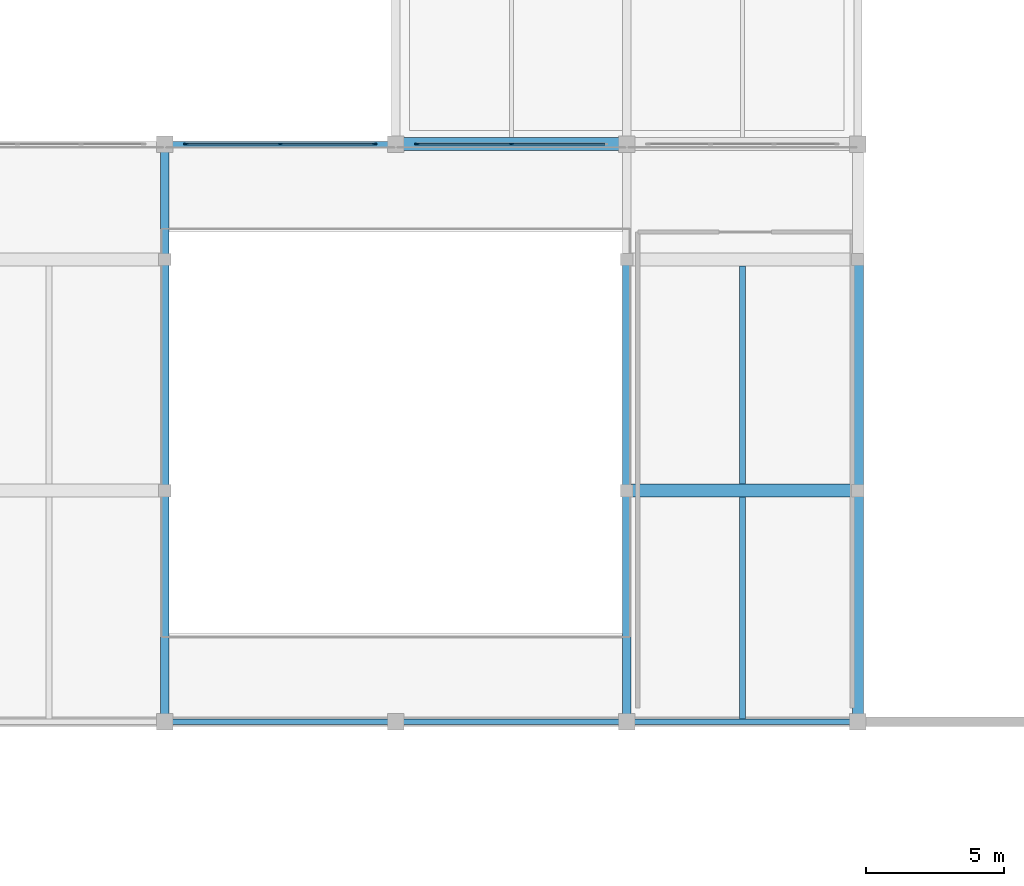
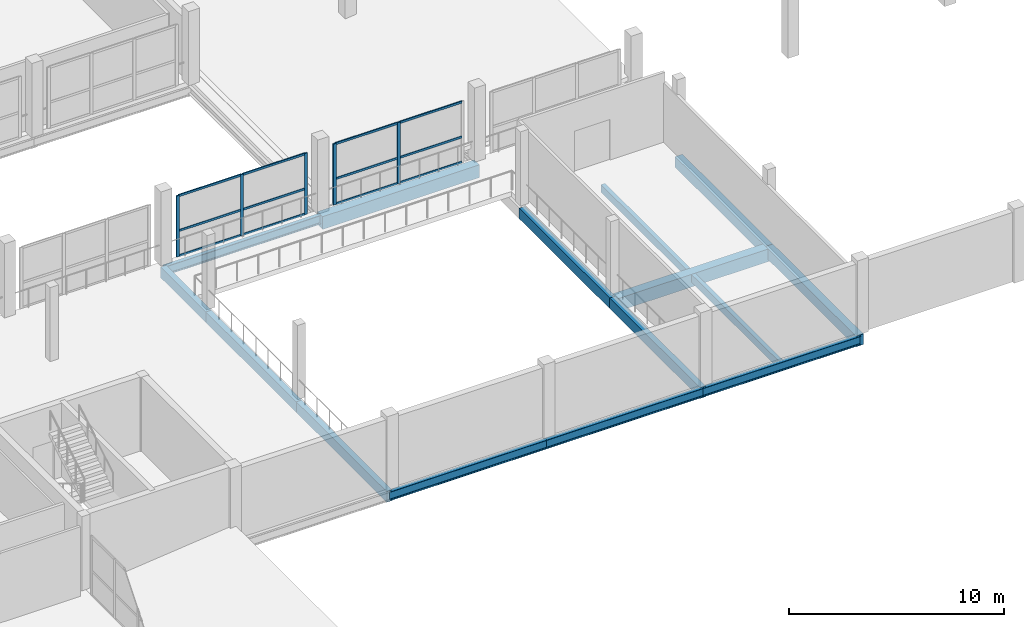
# One storey, part 25 of 53: 17 members, 15 beams, 2 elements without a shape of their own.
"""IFC4 building model written with IfcOpenShell, lengths in metres."""

from ifc_helpers import new_model, si_unit, direction, frame, origin, origin_2d, place, context, subcontext, project, spatial, rectangle, i_section, extrude, material, material_profile, profile_set, type_object, element, aggregate, save


model = new_model("IFC4")

# Units and contexts
model_context = context("Model", 3, precision=1e-05, world=origin(), true_north=direction((0.0, 1.0)))
body_context = subcontext(model_context, "Body", "Model", "MODEL_VIEW")
ifc_project = project(units=[si_unit("LENGTHUNIT", "METRE"), si_unit("AREAUNIT", "SQUARE_METRE"), si_unit("VOLUMEUNIT", "CUBIC_METRE"), si_unit("PLANEANGLEUNIT", "RADIAN"), si_unit("MASSUNIT", "GRAM", prefix="KILO")], contexts=[model_context])

# Site, building, storey
site_placement = place(None, origin())
site = spatial("IfcSite", under=ifc_project, at=site_placement, CompositionType="ELEMENT")
building_placement = place(site_placement, origin())
building = spatial("IfcBuilding", under=site, at=building_placement, Name="Vharandega Faculty of Natural Sciences", CompositionType="ELEMENT")
storey_placement = place(building_placement, frame((0.0, 0.0, 10.199951171875)))
storey = spatial("IfcBuildingStorey", under=building, at=storey_placement, Name="L02", CompositionType="ELEMENT", Elevation=10.199951171875)

# Curtain wall, members
ifc_material_1 = material(Name="Aluminium and solar-control glass curtain wall", Category="aluminium")
curtain_wall_type_1 = type_object("IfcCurtainWallType", Name="Unitised Curtain Wall System CW-08", PredefinedType="NOTDEFINED", material=ifc_material_1)
curtain_wall_1_placement = place(storey_placement, origin())
curtain_wall_1 = element("IfcCurtainWall", 1, at=curtain_wall_1_placement, inside=storey, type_object=curtain_wall_type_1, Name="Curtain Wall CW-L02-091", PredefinedType="NOTDEFINED")
ifc_material_2 = material(Name="Thermally broken aluminium 6063-T6", Category="aluminium")
ifc_material_profile_1 = material_profile(ifc_material_2, rectangle(XDim=0.06005859375, YDim=0.159912109375, at=origin_2d()), Name="ALU 60x160")
ifc_profile_set_1 = profile_set([ifc_material_profile_1], Name="Thermally broken aluminium 6063-T6")
member_type_1 = type_object("IfcMemberType", Name="CW Mullion 60x160", PredefinedType="MULLION", material=ifc_profile_set_1)
member_1_placement = place(storey_placement, frame((65.169921875, 85.0, 0.0), z_axis=(0.0, 0.0, 1.0), x_axis=(0.0, 1.0, 0.0)))
member_1 = element("IfcMember", 2, at=member_1_placement, type_object=member_type_1, Name="CW-08 mullion 1", PredefinedType="MULLION", context=body_context, shape_type="SweptSolid", body=[
    extrude(rectangle(XDim=0.06005859375, YDim=0.159912109375, at=origin_2d()), origin(), (0.0, 0.0, 1.0), 3.4599609375),
])
member_2_placement = place(storey_placement, frame((68.60009765625, 85.0, 0.0), z_axis=(0.0, 0.0, 1.0), x_axis=(0.0, 1.0, 0.0)))
member_2 = element("IfcMember", 3, at=member_2_placement, type_object=member_type_1, Name="CW-08 mullion 2", PredefinedType="MULLION", context=body_context, shape_type="SweptSolid", body=[
    extrude(rectangle(XDim=0.06005859375, YDim=0.159912109375, at=origin_2d()), origin(), (0.0, 0.0, 1.0), 3.4599609375),
])
member_3_placement = place(storey_placement, frame((72.030029296875, 85.0, 0.0), z_axis=(0.0, 0.0, 1.0), x_axis=(0.0, 1.0, 0.0)))
member_3 = element("IfcMember", 4, at=member_3_placement, type_object=member_type_1, Name="CW-08 mullion 3", PredefinedType="MULLION", context=body_context, shape_type="SweptSolid", body=[
    extrude(rectangle(XDim=0.06005859375, YDim=0.159912109375, at=origin_2d()), origin(), (0.0, 0.0, 1.0), 3.4599609375),
])

ifc_material_3 = material(Name="Aluminium and solar-control glass curtain wall", Category="aluminium")
curtain_wall_type_2 = type_object("IfcCurtainWallType", Name="Unitised Curtain Wall System CW-09", PredefinedType="NOTDEFINED", material=ifc_material_3)
curtain_wall_2_placement = place(storey_placement, origin())
curtain_wall_2 = element("IfcCurtainWall", 5, at=curtain_wall_2_placement, inside=storey, type_object=curtain_wall_type_2, Name="Curtain Wall CW-L02-092", PredefinedType="NOTDEFINED")
member_4_placement = place(storey_placement, frame((73.570068359375, 85.0, 0.0), z_axis=(0.0, 0.0, 1.0), x_axis=(0.0, 1.0, 0.0)))
member_4 = element("IfcMember", 6, at=member_4_placement, type_object=member_type_1, Name="CW-09 mullion 1", PredefinedType="MULLION", context=body_context, shape_type="SweptSolid", body=[
    extrude(rectangle(XDim=0.06005859375, YDim=0.159912109375, at=origin_2d()), origin(), (0.0, 0.0, 1.0), 3.4599609375),
])
member_5_placement = place(storey_placement, frame((77.0, 85.0, 0.0), z_axis=(0.0, 0.0, 1.0), x_axis=(0.0, 1.0, 0.0)))
member_5 = element("IfcMember", 7, at=member_5_placement, type_object=member_type_1, Name="CW-09 mullion 2", PredefinedType="MULLION", context=body_context, shape_type="SweptSolid", body=[
    extrude(rectangle(XDim=0.06005859375, YDim=0.159912109375, at=origin_2d()), origin(), (0.0, 0.0, 1.0), 3.4599609375),
])

# Member
ifc_material_4 = material(Name="Thermally broken aluminium 6063-T6", Category="aluminium")
ifc_material_profile_2 = material_profile(ifc_material_4, rectangle(XDim=0.06005859375, YDim=0.1201171875, at=origin_2d()), Name="ALU 60x120")
ifc_profile_set_2 = profile_set([ifc_material_profile_2], Name="Thermally broken aluminium 6063-T6")
member_type_2 = type_object("IfcMemberType", Name="CW Transom 60x120", PredefinedType="USERDEFINED", material=ifc_profile_set_2)
member_6_placement = place(storey_placement, frame((65.199951171875, 85.0, 0.030029296875), z_axis=(1.0, 0.0, 0.0), x_axis=(0.0, 1.0, 0.0)))
member_6 = element("IfcMember", 8, at=member_6_placement, type_object=member_type_2, Name="CW-08 transom 1.1", ObjectType="TRANSOM", PredefinedType="USERDEFINED", context=body_context, shape_type="SweptSolid", body=[
    extrude(rectangle(XDim=0.06005859375, YDim=0.1201171875, at=origin_2d()), origin(), (0.0, 0.0, 1.0), 3.3701171875),
])

member_7_placement = place(storey_placement, frame((65.199951171875, 85.0, 1.453369140625), z_axis=(1.0, 0.0, 0.0), x_axis=(0.0, 1.0, 0.0)))
member_7 = element("IfcMember", 9, at=member_7_placement, type_object=member_type_2, Name="CW-08 transom 1.2", ObjectType="TRANSOM", PredefinedType="USERDEFINED", context=body_context, shape_type="SweptSolid", body=[
    extrude(rectangle(XDim=0.06005859375, YDim=0.1201171875, at=origin_2d()), origin(), (0.0, 0.0, 1.0), 3.3701171875),
])

member_8_placement = place(storey_placement, frame((65.199951171875, 85.0, 3.429931640625), z_axis=(1.0, 0.0, 0.0), x_axis=(0.0, 1.0, 0.0)))
member_8 = element("IfcMember", 10, at=member_8_placement, type_object=member_type_2, Name="CW-08 transom 1.3", ObjectType="TRANSOM", PredefinedType="USERDEFINED", context=body_context, shape_type="SweptSolid", body=[
    extrude(rectangle(XDim=0.06005859375, YDim=0.1201171875, at=origin_2d()), origin(), (0.0, 0.0, 1.0), 3.3701171875),
])

member_9_placement = place(storey_placement, frame((68.6298828125, 85.0, 0.030029296875), z_axis=(1.0, 0.0, 0.0), x_axis=(0.0, 1.0, 0.0)))
member_9 = element("IfcMember", 11, at=member_9_placement, type_object=member_type_2, Name="CW-08 transom 2.1", ObjectType="TRANSOM", PredefinedType="USERDEFINED", context=body_context, shape_type="SweptSolid", body=[
    extrude(rectangle(XDim=0.06005859375, YDim=0.1201171875, at=origin_2d()), origin(), (0.0, 0.0, 1.0), 3.3701171875),
])

member_10_placement = place(storey_placement, frame((68.6298828125, 85.0, 1.453369140625), z_axis=(1.0, 0.0, 0.0), x_axis=(0.0, 1.0, 0.0)))
member_10 = element("IfcMember", 12, at=member_10_placement, type_object=member_type_2, Name="CW-08 transom 2.2", ObjectType="TRANSOM", PredefinedType="USERDEFINED", context=body_context, shape_type="SweptSolid", body=[
    extrude(rectangle(XDim=0.06005859375, YDim=0.1201171875, at=origin_2d()), origin(), (0.0, 0.0, 1.0), 3.3701171875),
])

member_11_placement = place(storey_placement, frame((68.6298828125, 85.0, 3.429931640625), z_axis=(1.0, 0.0, 0.0), x_axis=(0.0, 1.0, 0.0)))
member_11 = element("IfcMember", 13, at=member_11_placement, type_object=member_type_2, Name="CW-08 transom 2.3", ObjectType="TRANSOM", PredefinedType="USERDEFINED", context=body_context, shape_type="SweptSolid", body=[
    extrude(rectangle(XDim=0.06005859375, YDim=0.1201171875, at=origin_2d()), origin(), (0.0, 0.0, 1.0), 3.3701171875),
])

aggregate(curtain_wall_1, [member_1, member_2, member_3, member_6, member_7, member_8, member_9, member_10, member_11])

member_12_placement = place(storey_placement, frame((73.60009765625, 85.0, 0.030029296875), z_axis=(1.0, 0.0, 0.0), x_axis=(0.0, 1.0, 0.0)))
member_12 = element("IfcMember", 14, at=member_12_placement, type_object=member_type_2, Name="CW-09 transom 1.1", ObjectType="TRANSOM", PredefinedType="USERDEFINED", context=body_context, shape_type="SweptSolid", body=[
    extrude(rectangle(XDim=0.06005859375, YDim=0.1201171875, at=origin_2d()), origin(), (0.0, 0.0, 1.0), 3.369873046875),
])

member_13_placement = place(storey_placement, frame((73.60009765625, 85.0, 1.453369140625), z_axis=(1.0, 0.0, 0.0), x_axis=(0.0, 1.0, 0.0)))
member_13 = element("IfcMember", 15, at=member_13_placement, type_object=member_type_2, Name="CW-09 transom 1.2", ObjectType="TRANSOM", PredefinedType="USERDEFINED", context=body_context, shape_type="SweptSolid", body=[
    extrude(rectangle(XDim=0.06005859375, YDim=0.1201171875, at=origin_2d()), origin(), (0.0, 0.0, 1.0), 3.369873046875),
])

member_14_placement = place(storey_placement, frame((73.60009765625, 85.0, 3.429931640625), z_axis=(1.0, 0.0, 0.0), x_axis=(0.0, 1.0, 0.0)))
member_14 = element("IfcMember", 16, at=member_14_placement, type_object=member_type_2, Name="CW-09 transom 1.3", ObjectType="TRANSOM", PredefinedType="USERDEFINED", context=body_context, shape_type="SweptSolid", body=[
    extrude(rectangle(XDim=0.06005859375, YDim=0.1201171875, at=origin_2d()), origin(), (0.0, 0.0, 1.0), 3.369873046875),
])

member_15_placement = place(storey_placement, frame((77.030029296875, 85.0, 0.030029296875), z_axis=(1.0, 0.0, 0.0), x_axis=(0.0, 1.0, 0.0)))
member_15 = element("IfcMember", 17, at=member_15_placement, type_object=member_type_2, Name="CW-09 transom 2.1", ObjectType="TRANSOM", PredefinedType="USERDEFINED", context=body_context, shape_type="SweptSolid", body=[
    extrude(rectangle(XDim=0.06005859375, YDim=0.1201171875, at=origin_2d()), origin(), (0.0, 0.0, 1.0), 3.369873046875),
])

member_16_placement = place(storey_placement, frame((77.030029296875, 85.0, 1.453369140625), z_axis=(1.0, 0.0, 0.0), x_axis=(0.0, 1.0, 0.0)))
member_16 = element("IfcMember", 18, at=member_16_placement, type_object=member_type_2, Name="CW-09 transom 2.2", ObjectType="TRANSOM", PredefinedType="USERDEFINED", context=body_context, shape_type="SweptSolid", body=[
    extrude(rectangle(XDim=0.06005859375, YDim=0.1201171875, at=origin_2d()), origin(), (0.0, 0.0, 1.0), 3.369873046875),
])

member_17_placement = place(storey_placement, frame((77.030029296875, 85.0, 3.429931640625), z_axis=(1.0, 0.0, 0.0), x_axis=(0.0, 1.0, 0.0)))
member_17 = element("IfcMember", 19, at=member_17_placement, type_object=member_type_2, Name="CW-09 transom 2.3", ObjectType="TRANSOM", PredefinedType="USERDEFINED", context=body_context, shape_type="SweptSolid", body=[
    extrude(rectangle(XDim=0.06005859375, YDim=0.1201171875, at=origin_2d()), origin(), (0.0, 0.0, 1.0), 3.369873046875),
])

aggregate(curtain_wall_2, [member_4, member_5, member_12, member_13, member_14, member_15, member_16, member_17])

# Beams
ifc_material_5 = material(Name="Glulam GL28h", Category="wood")
ifc_material_profile_3 = material_profile(ifc_material_5, rectangle(XDim=0.300048828125, YDim=0.60009765625, at=origin_2d()), Name="GL28h 300x600")
ifc_profile_set_3 = profile_set([ifc_material_profile_3], Name="Glulam GL28h")
beam_type_1 = type_object("IfcBeamType", Name="Glulam Floor Beam 300x600", PredefinedType="BEAM", material=ifc_profile_set_3)
beam_1_placement = place(storey_placement, frame((64.39990234375, 64.0, -0.579833984375), z_axis=(0.0, 1.0, 0.0), x_axis=(-1.0, 0.0, 0.0)))
element("IfcBeam", 20, at=beam_1_placement, inside=storey, type_object=beam_type_1, Name="Beam L02 9/J-K", PredefinedType="BEAM", context=body_context, shape_type="SweptSolid", body=[
    extrude(rectangle(XDim=0.300048828125, YDim=0.60009765625, at=origin_2d()), origin(), (0.0, 0.0, 1.0), 8.39990234375),
])
beam_2_placement = place(storey_placement, frame((64.39990234375, 72.39990234375, -0.579833984375), z_axis=(0.0, 1.0, 0.0), x_axis=(-1.0, 0.0, 0.0)))
element("IfcBeam", 21, at=beam_2_placement, inside=storey, type_object=beam_type_1, Name="Beam L02 9/K-L", PredefinedType="BEAM", context=body_context, shape_type="SweptSolid", body=[
    extrude(rectangle(XDim=0.300048828125, YDim=0.60009765625, at=origin_2d()), origin(), (0.0, 0.0, 1.0), 8.400146484375),
])
beam_3_placement = place(storey_placement, frame((64.39990234375, 80.800048828125, -0.579833984375), z_axis=(0.0, 1.0, 0.0), x_axis=(-1.0, 0.0, 0.0)))
element("IfcBeam", 22, at=beam_3_placement, inside=storey, type_object=beam_type_1, Name="Beam L02 9/L-M", PredefinedType="BEAM", context=body_context, shape_type="SweptSolid", body=[
    extrude(rectangle(XDim=0.300048828125, YDim=0.60009765625, at=origin_2d()), origin(), (0.0, 0.0, 1.0), 4.199951171875),
])
beam_4_placement = place(storey_placement, frame((81.199951171875, 64.0, -0.579833984375), z_axis=(0.0, 1.0, 0.0), x_axis=(-1.0, 0.0, 0.0)))
element("IfcBeam", 23, at=beam_4_placement, inside=storey, type_object=beam_type_1, Name="Beam L02 11/J-K", PredefinedType="BEAM", context=body_context, shape_type="SweptSolid", body=[
    extrude(rectangle(XDim=0.300048828125, YDim=0.60009765625, at=origin_2d()), origin(), (0.0, 0.0, 1.0), 8.39990234375),
])
beam_5_placement = place(storey_placement, frame((81.199951171875, 72.39990234375, -0.579833984375), z_axis=(0.0, 1.0, 0.0), x_axis=(-1.0, 0.0, 0.0)))
element("IfcBeam", 24, at=beam_5_placement, inside=storey, type_object=beam_type_1, Name="Beam L02 11/K-L", PredefinedType="BEAM", context=body_context, shape_type="SweptSolid", body=[
    extrude(rectangle(XDim=0.300048828125, YDim=0.60009765625, at=origin_2d()), origin(), (0.0, 0.0, 1.0), 8.400146484375),
])
ifc_material_6 = material(Name="Glulam GL32h", Category="wood")
ifc_material_profile_4 = material_profile(ifc_material_6, rectangle(XDim=0.47998046875, YDim=0.719970703125, at=origin_2d()), Name="GL32h 480x720")
ifc_profile_set_4 = profile_set([ifc_material_profile_4], Name="Glulam GL32h")
beam_type_2 = type_object("IfcBeamType", Name="Glulam Primary Girder 480x720", PredefinedType="BEAM", material=ifc_profile_set_4)
beam_6_placement = place(storey_placement, frame((81.199951171875, 72.39990234375, -0.639892578125), z_axis=(1.0, 0.0, 0.0), x_axis=(0.0, 1.0, 0.0)))
element("IfcBeam", 25, at=beam_6_placement, inside=storey, type_object=beam_type_2, Name="Beam L02 K/11-12", PredefinedType="BEAM", context=body_context, shape_type="SweptSolid", body=[
    extrude(rectangle(XDim=0.47998046875, YDim=0.719970703125, at=origin_2d()), origin(), (0.0, 0.0, 1.0), 8.400146484375),
])
beam_7_placement = place(storey_placement, frame((72.800048828125, 85.0, -0.639892578125), z_axis=(1.0, 0.0, 0.0), x_axis=(0.0, 1.0, 0.0)))
element("IfcBeam", 26, at=beam_7_placement, inside=storey, type_object=beam_type_2, Name="Beam L02 M/10-11", PredefinedType="BEAM", context=body_context, shape_type="SweptSolid", body=[
    extrude(rectangle(XDim=0.47998046875, YDim=0.719970703125, at=origin_2d()), origin(), (0.0, 0.0, 1.0), 8.39990234375),
])
ifc_material_7 = material(Name="Glulam GL28h", Category="wood")
ifc_material_profile_5 = material_profile(ifc_material_7, rectangle(XDim=0.219970703125, YDim=0.43994140625, at=origin_2d()), Name="GL28h 220x440")
ifc_profile_set_5 = profile_set([ifc_material_profile_5], Name="Glulam GL28h")
beam_type_3 = type_object("IfcBeamType", Name="Glulam Secondary Joist 220x440", PredefinedType="JOIST", material=ifc_profile_set_5)
beam_8_placement = place(storey_placement, frame((85.39990234375, 64.10009765625, -0.5), z_axis=(0.0, 1.0, 0.0), x_axis=(-1.0, 0.0, 0.0)))
element("IfcBeam", 27, at=beam_8_placement, inside=storey, type_object=beam_type_3, Name="Secondary Joist L02 11-12/J-K", PredefinedType="JOIST", context=body_context, shape_type="SweptSolid", body=[
    extrude(rectangle(XDim=0.219970703125, YDim=0.43994140625, at=origin_2d()), origin(), (0.0, 0.0, 1.0), 8.059814453125),
])
beam_9_placement = place(storey_placement, frame((85.39990234375, 72.639892578125, -0.5), z_axis=(0.0, 1.0, 0.0), x_axis=(-1.0, 0.0, 0.0)))
element("IfcBeam", 28, at=beam_9_placement, inside=storey, type_object=beam_type_3, Name="Secondary Joist L02 11-12/K-L", PredefinedType="JOIST", context=body_context, shape_type="SweptSolid", body=[
    extrude(rectangle(XDim=0.219970703125, YDim=0.43994140625, at=origin_2d()), origin(), (0.0, 0.0, 1.0), 7.920166015625),
])
ifc_material_8 = material(Name="Glulam GL32h", Category="wood")
ifc_material_profile_6 = material_profile(ifc_material_8, rectangle(XDim=0.39990234375, YDim=0.60009765625, at=origin_2d()), Name="GL32h 400x600")
ifc_profile_set_6 = profile_set([ifc_material_profile_6], Name="Glulam GL32h")
beam_type_4 = type_object("IfcBeamType", Name="Glulam Spine Girder 400x600", PredefinedType="BEAM", material=ifc_profile_set_6)
beam_10_placement = place(storey_placement, frame((89.60009765625, 64.0, -0.579833984375), z_axis=(0.0, 1.0, 0.0), x_axis=(-1.0, 0.0, 0.0)))
element("IfcBeam", 29, at=beam_10_placement, inside=storey, type_object=beam_type_4, Name="Beam L02 12/J-K", PredefinedType="BEAM", context=body_context, shape_type="SweptSolid", body=[
    extrude(rectangle(XDim=0.39990234375, YDim=0.60009765625, at=origin_2d()), origin(), (0.0, 0.0, 1.0), 8.39990234375),
])
beam_11_placement = place(storey_placement, frame((89.60009765625, 72.39990234375, -0.579833984375), z_axis=(0.0, 1.0, 0.0), x_axis=(-1.0, 0.0, 0.0)))
element("IfcBeam", 30, at=beam_11_placement, inside=storey, type_object=beam_type_4, Name="Beam L02 12/K-L", PredefinedType="BEAM", context=body_context, shape_type="SweptSolid", body=[
    extrude(rectangle(XDim=0.39990234375, YDim=0.60009765625, at=origin_2d()), origin(), (0.0, 0.0, 1.0), 8.400146484375),
])
ifc_material_9 = material(Name="Steel S355", Category="steel")
ifc_material_profile_7 = material_profile(ifc_material_9, i_section(OverallWidth=0.199951171875, OverallDepth=0.5, WebThickness=0.01025390625, FlangeThickness=0.01611328125, FilletRadius=0.02099609375, at=origin_2d()), Name="IPE 500")
ifc_profile_set_7 = profile_set([ifc_material_profile_7], Name="Steel S355")
beam_type_5 = type_object("IfcBeamType", Name="Steel Spandrel Beam IPE 500", PredefinedType="SPANDREL", material=ifc_profile_set_7)
beam_12_placement = place(storey_placement, frame((64.39990234375, 64.0, -0.530029296875), z_axis=(1.0, 0.0, 0.0), x_axis=(0.0, 1.0, 0.0)))
element("IfcBeam", 31, at=beam_12_placement, inside=storey, type_object=beam_type_5, Name="Beam L02 J/9-10", PredefinedType="SPANDREL", context=body_context, shape_type="SweptSolid", body=[
    extrude(i_section(OverallWidth=0.199951171875, OverallDepth=0.5, WebThickness=0.01025390625, FlangeThickness=0.01611328125, FilletRadius=0.02099609375, at=origin_2d()), origin(), (0.0, 0.0, 1.0), 8.400146484375),
])
beam_13_placement = place(storey_placement, frame((72.800048828125, 64.0, -0.530029296875), z_axis=(1.0, 0.0, 0.0), x_axis=(0.0, 1.0, 0.0)))
element("IfcBeam", 32, at=beam_13_placement, inside=storey, type_object=beam_type_5, Name="Beam L02 J/10-11", PredefinedType="SPANDREL", context=body_context, shape_type="SweptSolid", body=[
    extrude(i_section(OverallWidth=0.199951171875, OverallDepth=0.5, WebThickness=0.01025390625, FlangeThickness=0.01611328125, FilletRadius=0.02099609375, at=origin_2d()), origin(), (0.0, 0.0, 1.0), 8.39990234375),
])
for number, where, z_axis, x_axis, name in (
    (33, (81.199951171875, 64.0, -0.530029296875), (1.0, 0.0, 0.0), (0.0, 1.0, 0.0), "Beam L02 J/11-12"),
    (34, (64.39990234375, 85.0, -0.530029296875), (1.0, 0.0, 0.0), (0.0, 1.0, 0.0), "Beam L02 M/9-10"),
):
    element("IfcBeam", number, at=place(storey_placement, frame(where, z_axis=z_axis, x_axis=x_axis)), inside=storey, type_object=beam_type_5, Name=name, PredefinedType="SPANDREL", context=body_context, shape_type="SweptSolid", body=[
        extrude(i_section(OverallWidth=0.199951171875, OverallDepth=0.5, WebThickness=0.01025390625, FlangeThickness=0.01611328125, FilletRadius=0.02099609375, at=origin_2d()), origin(), (0.0, 0.0, 1.0), 8.400146484375),
    ])

save(model, "model.ifc")
